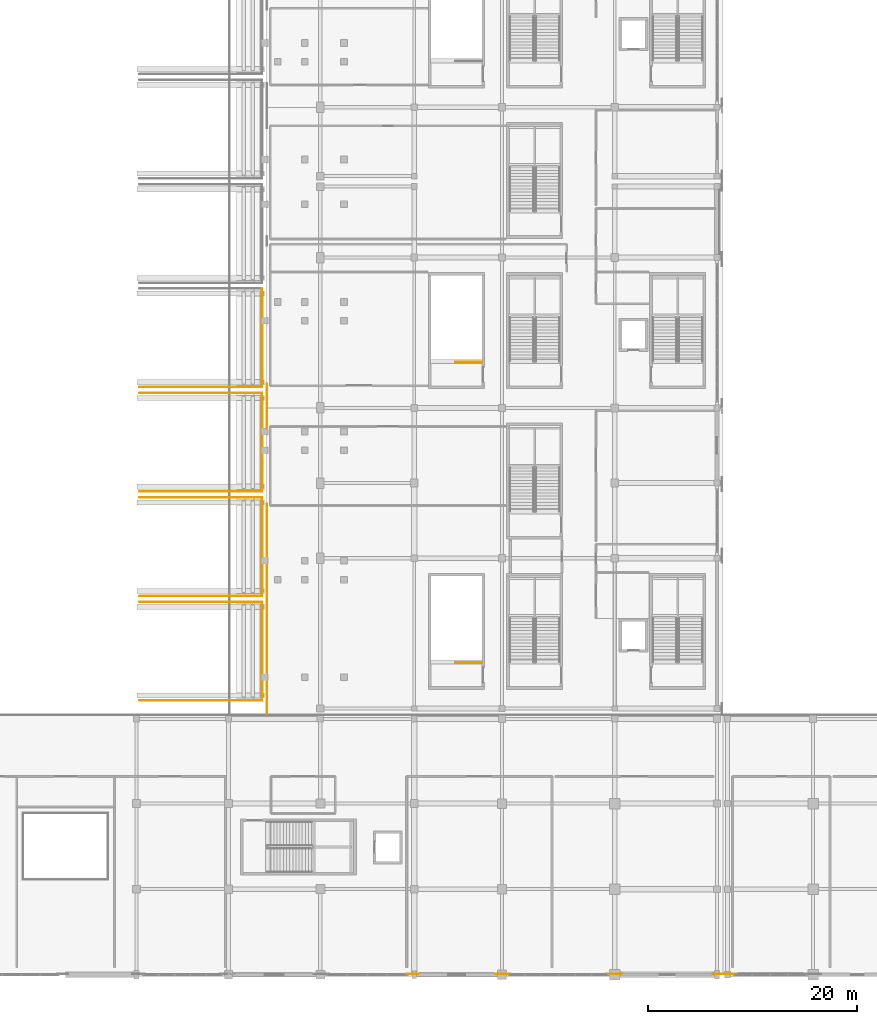
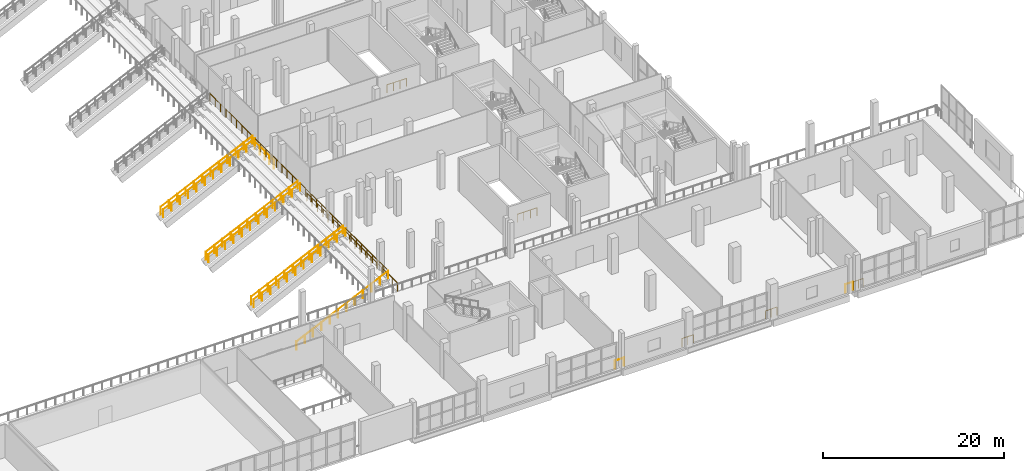
# One storey, part 113 of 129: 21 railings.
"""IFC4 building model written with IfcOpenShell, lengths in metres."""

import ifcopenshell
import ifcopenshell.guid

model = None  # the IFC model being written
_history = None  # IfcOwnerHistory: only IFC2X3 demands one
_inside = {}  # id of a spatial element -> (the spatial element, [elements in it])
_under = {}  # id of a project, library or spatial element -> (it, [spatial elements below it])
_declared = {}  # id of a project -> (the project, [libraries it declares])
_typed = {}  # id of a type object -> (the type object, [elements of that type])
_made_of = {}  # id of a material, layer set ... -> (it, [elements and type objects made of it])


def new_model(schema):
    """Start an empty IFC model of exactly this schema.

    Asked for "IFC4X3", IfcOpenShell would pick the latest addendum, in which some entities
    have other attributes; the version numbers below select the first issue.
    IFC2X3 requires an IfcOwnerHistory on every rooted entity: one is made here for all.
    """
    global model, _history
    if schema == "IFC4X3":
        model = ifcopenshell.file(schema_version=(4, 3, 0, 0))
    else:
        model = ifcopenshell.file(schema=schema)
    _inside.clear()
    _under.clear()
    _declared.clear()
    _typed.clear()
    _made_of.clear()
    _history = None
    if model.schema == "IFC2X3":
        org = make("IfcOrganization", Name="unknown")
        user = make(
            "IfcPersonAndOrganization",
            ThePerson=make("IfcPerson", FamilyName="unknown"),
            TheOrganization=org,
        )
        app = make(
            "IfcApplication",
            ApplicationDeveloper=org,
            Version="unknown",
            ApplicationFullName="unknown",
            ApplicationIdentifier="unknown",
        )
        _history = make(
            "IfcOwnerHistory",
            OwningUser=user,
            OwningApplication=app,
            ChangeAction="ADDED",
            CreationDate=0,
        )
    return model


def make(cls, **values):
    """One entity of the class cls with the attributes given. An attribute that is None is left unset."""
    return model.create_entity(
        cls, **{name: value for name, value in values.items() if value is not None}
    )


def rooted(cls, **values):
    """An entity with a GlobalId (a new one), such as an element, a storey or a relation."""
    return make(cls, GlobalId=ifcopenshell.guid.new(), OwnerHistory=_history, **values)


def si_unit(unit_type, name, prefix=None):
    """IfcSIUnit, for example si_unit("LENGTHUNIT", "METRE", prefix="MILLI")."""
    return make("IfcSIUnit", UnitType=unit_type, Prefix=prefix, Name=name)


def assignment(units):
    """IfcUnitAssignment: the units of a project."""
    return None if units is None else make("IfcUnitAssignment", Units=units)


def point(xyz):
    """IfcCartesianPoint."""
    return None if xyz is None else make("IfcCartesianPoint", Coordinates=xyz)


def direction(xyz):
    """IfcDirection."""
    return None if xyz is None else make("IfcDirection", DirectionRatios=xyz)


def frame(location, z_axis=None, x_axis=None):
    """IfcAxis2Placement3D, a coordinate frame: its origin and axes. An axis left out is left unset."""
    return make(
        "IfcAxis2Placement3D",
        Location=point(location),
        Axis=direction(z_axis),
        RefDirection=direction(x_axis),
    )


def frame_2d(location, x_axis=None):
    """IfcAxis2Placement2D, a coordinate frame in the plane: its origin and x axis."""
    return make(
        "IfcAxis2Placement2D", Location=point(location), RefDirection=direction(x_axis)
    )


def origin():
    """The frame at (0, 0, 0) with its axes left unset."""
    return frame((0.0, 0.0, 0.0))


def origin_2d():
    """The frame at (0, 0) in the plane with its x axis left unset."""
    return frame_2d((0.0, 0.0))


def place(relative_to, where):
    """IfcLocalPlacement: puts the frame where relative to a parent placement (None: the world)."""
    return make(
        "IfcLocalPlacement", PlacementRelTo=relative_to, RelativePlacement=where
    )


def context(
    kind, dimensions, precision=None, world=None, true_north=None, identifier=None
):
    """IfcGeometricRepresentationContext, for example the 3D "Model" context."""
    return make(
        "IfcGeometricRepresentationContext",
        ContextIdentifier=identifier,
        ContextType=kind,
        CoordinateSpaceDimension=dimensions,
        Precision=precision,
        WorldCoordinateSystem=world,
        TrueNorth=true_north,
    )


def subcontext(parent, identifier, kind, view, scale=None):
    """IfcGeometricRepresentationSubContext, for example "Body" below "Model"."""
    return make(
        "IfcGeometricRepresentationSubContext",
        ContextIdentifier=identifier,
        ContextType=kind,
        ParentContext=parent,
        TargetScale=scale,
        TargetView=view,
    )


def project(units=None, contexts=None):
    """IfcProject with its units and contexts."""
    return rooted(
        "IfcProject",
        Name="project",
        RepresentationContexts=contexts,
        UnitsInContext=assignment(units),
    )


def spatial(cls, under=None, at=None, **own):
    """A site, building, storey or space (cls), placed at a placement, below another one or the project."""
    s = rooted(cls, ObjectPlacement=at, **own)
    if under is not None:
        _under.setdefault(under.id(), (under, []))[1].append(s)
    return s


def profile(cls, at=None, kind="AREA", **sizes):
    """A parametric profile (cls). Its sizes go by their IFC names, for example OverallWidth=200.0."""
    return make(cls, ProfileType=kind, Position=at, **sizes)


def circle(**sizes):
    """IfcCircleProfileDef."""
    return profile("IfcCircleProfileDef", **sizes)


def extrude(swept, where, along, depth):
    """IfcExtrudedAreaSolid: the profile swept, set in the frame where, extruded along a direction by depth."""
    return make(
        "IfcExtrudedAreaSolid",
        SweptArea=swept,
        Position=where,
        ExtrudedDirection=direction(along),
        Depth=depth,
    )


def shape(context_of_items, identifier, shape_type, items):
    """IfcShapeRepresentation: the items that make up one representation, for example the "Body"."""
    return make(
        "IfcShapeRepresentation",
        ContextOfItems=context_of_items,
        RepresentationIdentifier=identifier,
        RepresentationType=shape_type,
        Items=items,
    )


def material(Name=None, Category=None):
    """IfcMaterial."""
    return make("IfcMaterial", Name=Name, Category=Category)


def made_of(thing, what):
    """Note that an element or type object is made of a material, layer set ...; save() writes the relation."""
    if what is not None:
        _made_of.setdefault(what.id(), (what, []))[1].append(thing)
    return thing


def type_object(cls, material=None, **own):
    """A type object (cls), such as IfcWallType, which elements share."""
    return made_of(rooted(cls, **own), material)


def element(
    cls,
    number,
    at=None,
    inside=None,
    cuts=None,
    type_object=None,
    material=None,
    context=None,
    identifier="Body",
    shape_type=None,
    held_by="IfcProductDefinitionShape",
    body=None,
    shapes=None,
    **own,
):
    """One element of the class cls, such as IfcWall. Its Tag is "e" and its number.

    at: its placement. inside: the storey or other place that contains it. cuts: it is an
    opening in that element (IfcRelVoidsElement). A single representation is given by context,
    identifier, shape_type and body (its items); several are given by shapes. held_by: the class
    of the entity that holds the representations. save() writes the other relations.
    """
    e = rooted(cls, Tag="e%d" % number, ObjectPlacement=at, **own)
    if body is not None:
        shapes = [shape(context, identifier, shape_type, body)]
    if shapes is not None:
        e.Representation = make(held_by, Representations=shapes)
    if inside is not None:
        _inside.setdefault(inside.id(), (inside, []))[1].append(e)
    if cuts is not None:
        rooted(
            "IfcRelVoidsElement", RelatingBuildingElement=cuts, RelatedOpeningElement=e
        )
    if type_object is not None:
        _typed.setdefault(type_object.id(), (type_object, []))[1].append(e)
    return made_of(e, material)


def aggregate(whole, parts):
    """IfcRelAggregates: a whole, such as a stair, and the parts it consists of."""
    return rooted("IfcRelAggregates", RelatingObject=whole, RelatedObjects=parts)


def save(model, path):
    """Write the relations noted so far, then the file.

    IfcRelAggregates (storeys below a building ...), IfcRelContainedInSpatialStructure (elements
    in a storey), IfcRelDefinesByType, IfcRelAssociatesMaterial and IfcRelDeclares: one each for
    every whole, place, type object, material and project.
    """
    for whole, parts in _under.values():
        aggregate(whole, parts)
    for where, things in _inside.values():
        rooted(
            "IfcRelContainedInSpatialStructure",
            RelatedElements=things,
            RelatingStructure=where,
        )
    for kind, things in _typed.values():
        rooted("IfcRelDefinesByType", RelatedObjects=things, RelatingType=kind)
    for what, things in _made_of.values():
        rooted("IfcRelAssociatesMaterial", RelatedObjects=things, RelatingMaterial=what)
    for by, libraries in _declared.values():
        rooted("IfcRelDeclares", RelatingContext=by, RelatedDefinitions=libraries)
    model.write(path)


model = new_model("IFC4")

# Units and contexts
model_context = context("Model", 3, precision=1e-05, world=origin(), true_north=direction((0.0, 1.0)))
body_context = subcontext(model_context, "Body", "Model", "MODEL_VIEW")
ifc_project = project(units=[si_unit("LENGTHUNIT", "METRE"), si_unit("AREAUNIT", "SQUARE_METRE"), si_unit("VOLUMEUNIT", "CUBIC_METRE"), si_unit("PLANEANGLEUNIT", "RADIAN"), si_unit("MASSUNIT", "GRAM", prefix="KILO")], contexts=[model_context])

# Site, building, storey
site_placement = place(None, origin())
site = spatial("IfcSite", under=ifc_project, at=site_placement, CompositionType="ELEMENT")
building_placement = place(site_placement, origin())
building = spatial("IfcBuilding", under=site, at=building_placement, Name="Koshinbarg Plaza Stadium", CompositionType="ELEMENT")
storey_placement = place(building_placement, frame((0.0, 0.0, 5.39990234375)))
storey = spatial("IfcBuildingStorey", under=building, at=storey_placement, Name="L01", CompositionType="ELEMENT", Elevation=5.39990234375)

# Railings
ifc_material_1 = material(Name="Toughened laminated glass and stainless steel sightline balustrade", Category="steel")
railing_type_1 = type_object("IfcRailingType", Name="RL-BOWL-1100", PredefinedType="BALUSTRADE", material=ifc_material_1)
railing_1_placement = place(storey_placement, frame((175.280029296875, 25.044921875, 0.0)))
element("IfcRailing", 1, at=railing_1_placement, inside=storey, type_object=railing_type_1, Name="L01 deck edge safety balustrade 0011", PredefinedType="BALUSTRADE", context=body_context, shape_type="SweptSolid", body=[
    extrude(circle(Radius=0.02392578125, at=origin_2d()), frame((0.0, 0.0, 1.076171875), z_axis=(0.0, 1.0, 0.0), x_axis=(-1.0, 0.0, 0.0)), (0.0, 0.0, 1.0), 20.0517578125),
    extrude(circle(Radius=0.02099609375, at=origin_2d()), origin(), (0.0, 0.0, 1.0), 1.052001953125),
    extrude(circle(Radius=0.02099609375, at=origin_2d()), frame((0.0, 1.179443359375, 0.0)), (0.0, 0.0, 1.0), 1.052001953125),
    extrude(circle(Radius=0.02099609375, at=origin_2d()), frame((0.0, 2.359130859375, 0.0)), (0.0, 0.0, 1.0), 1.052001953125),
    extrude(circle(Radius=0.02099609375, at=origin_2d()), frame((0.0, 3.53857421875, 0.0)), (0.0, 0.0, 1.0), 1.052001953125),
    extrude(circle(Radius=0.02099609375, at=origin_2d()), frame((0.0, 4.718017578125, 0.0)), (0.0, 0.0, 1.0), 1.052001953125),
    extrude(circle(Radius=0.02099609375, at=origin_2d()), frame((0.0, 5.8974609375, 0.0)), (0.0, 0.0, 1.0), 1.052001953125),
    extrude(circle(Radius=0.02099609375, at=origin_2d()), frame((0.0, 7.0771484375, 0.0)), (0.0, 0.0, 1.0), 1.052001953125),
    extrude(circle(Radius=0.02099609375, at=origin_2d()), frame((0.0, 8.256591796875, 0.0)), (0.0, 0.0, 1.0), 1.052001953125),
    extrude(circle(Radius=0.02099609375, at=origin_2d()), frame((0.0, 9.43603515625, 0.0)), (0.0, 0.0, 1.0), 1.052001953125),
    extrude(circle(Radius=0.02099609375, at=origin_2d()), frame((0.0, 10.61572265625, 0.0)), (0.0, 0.0, 1.0), 1.052001953125),
    extrude(circle(Radius=0.02099609375, at=origin_2d()), frame((0.0, 11.795166015625, 0.0)), (0.0, 0.0, 1.0), 1.052001953125),
    extrude(circle(Radius=0.02099609375, at=origin_2d()), frame((0.0, 12.974609375, 0.0)), (0.0, 0.0, 1.0), 1.052001953125),
    extrude(circle(Radius=0.02099609375, at=origin_2d()), frame((0.0, 14.154296875, 0.0)), (0.0, 0.0, 1.0), 1.052001953125),
    extrude(circle(Radius=0.02099609375, at=origin_2d()), frame((0.0, 15.333740234375, 0.0)), (0.0, 0.0, 1.0), 1.052001953125),
    extrude(circle(Radius=0.02099609375, at=origin_2d()), frame((0.0, 16.51318359375, 0.0)), (0.0, 0.0, 1.0), 1.052001953125),
    extrude(circle(Radius=0.02099609375, at=origin_2d()), frame((0.0, 17.692626953125, 0.0)), (0.0, 0.0, 1.0), 1.052001953125),
    extrude(circle(Radius=0.02099609375, at=origin_2d()), frame((0.0, 18.872314453125, 0.0)), (0.0, 0.0, 1.0), 1.052001953125),
    extrude(circle(Radius=0.02099609375, at=origin_2d()), frame((0.0, 20.0517578125, 0.0)), (0.0, 0.0, 1.0), 1.052001953125),
])
railing_2_placement = place(storey_placement, frame((175.280029296875, 52.308837890625, 0.0)))
element("IfcRailing", 2, at=railing_2_placement, inside=storey, type_object=railing_type_1, Name="L01 deck edge safety balustrade 0012", PredefinedType="BALUSTRADE", context=body_context, shape_type="SweptSolid", body=[
    extrude(circle(Radius=0.02392578125, at=origin_2d()), frame((0.0, 0.0, 1.076171875), z_axis=(0.0, 1.0, 0.0), x_axis=(-1.0, 0.0, 0.0)), (0.0, 0.0, 1.0), 1.9912109375),
    extrude(circle(Radius=0.02099609375, at=origin_2d()), origin(), (0.0, 0.0, 1.0), 1.052001953125),
    extrude(circle(Radius=0.02099609375, at=origin_2d()), frame((0.0, 0.99560546875, 0.0)), (0.0, 0.0, 1.0), 1.052001953125),
    extrude(circle(Radius=0.02099609375, at=origin_2d()), frame((0.0, 1.9912109375, 0.0)), (0.0, 0.0, 1.0), 1.052001953125),
])
railing_3_placement = place(storey_placement, frame((175.280029296875, 54.300048828125, 0.0)))
element("IfcRailing", 3, at=railing_3_placement, inside=storey, type_object=railing_type_1, Name="L01 deck edge safety balustrade 0017", PredefinedType="BALUSTRADE", context=body_context, shape_type="SweptSolid", body=[
    extrude(circle(Radius=0.02392578125, at=origin_2d()), frame((0.0, 0.0, 1.076171875), z_axis=(0.0, 1.0, 0.0), x_axis=(-1.0, 0.0, 0.0)), (0.0, 0.0, 1.0), 2.300048828125),
    extrude(circle(Radius=0.02099609375, at=origin_2d()), origin(), (0.0, 0.0, 1.0), 1.052001953125),
    extrude(circle(Radius=0.02099609375, at=origin_2d()), frame((0.0, 1.14990234375, 0.0)), (0.0, 0.0, 1.0), 1.052001953125),
    extrude(circle(Radius=0.02099609375, at=origin_2d()), frame((0.0, 2.300048828125, 0.0)), (0.0, 0.0, 1.0), 1.052001953125),
])
railing_4_placement = place(storey_placement, frame((218.955078125, 0.080078125, 0.0)))
element("IfcRailing", 4, at=railing_4_placement, inside=storey, type_object=railing_type_1, Name="L01 deck edge safety balustrade 0075", PredefinedType="BALUSTRADE", context=body_context, shape_type="SweptSolid", body=[
    extrude(circle(Radius=0.02392578125, at=origin_2d()), frame((0.0, 0.0, 1.076171875), z_axis=(-1.0, 0.0, 0.0), x_axis=(0.0, -1.0, 0.0)), (0.0, 0.0, 1.0), 0.949462890625),
    extrude(circle(Radius=0.02099609375, at=origin_2d()), origin(), (0.0, 0.0, 1.0), 1.052001953125),
    extrude(circle(Radius=0.02099609375, at=origin_2d()), frame((-0.949462890625, 0.0, 0.0)), (0.0, 0.0, 1.0), 1.052001953125),
])
for number, where, name in (
    (5, (209.264404296875, 0.080078125, 0.0), "L01 deck edge safety balustrade 0076"),
    (6, (198.62451171875, 0.080078125, 0.0), "L01 deck edge safety balustrade 0077"),
):
    element("IfcRailing", number, at=place(storey_placement, frame(where)), inside=storey, type_object=railing_type_1, Name=name, PredefinedType="BALUSTRADE", context=body_context, shape_type="SweptSolid", body=[
        extrude(circle(Radius=0.02392578125, at=origin_2d()), frame((0.0, 0.0, 1.076171875), z_axis=(-1.0, 0.0, 0.0), x_axis=(0.0, -1.0, 0.0)), (0.0, 0.0, 1.0), 1.448974609375),
        extrude(circle(Radius=0.02099609375, at=origin_2d()), origin(), (0.0, 0.0, 1.0), 1.052001953125),
        extrude(circle(Radius=0.02099609375, at=origin_2d()), frame((-0.724609375, 0.0, 0.0)), (0.0, 0.0, 1.0), 1.052001953125),
        extrude(circle(Radius=0.02099609375, at=origin_2d()), frame((-1.448974609375, 0.0, 0.0)), (0.0, 0.0, 1.0), 1.052001953125),
    ])
railing_5_placement = place(storey_placement, frame((189.782958984375, 0.080078125, 0.0)))
element("IfcRailing", 7, at=railing_5_placement, inside=storey, type_object=railing_type_1, Name="L01 deck edge safety balustrade 0078", PredefinedType="BALUSTRADE", context=body_context, shape_type="SweptSolid", body=[
    extrude(circle(Radius=0.02392578125, at=origin_2d()), frame((0.0, 0.0, 1.076171875), z_axis=(-1.0, 0.0, 0.0), x_axis=(0.0, -1.0, 0.0)), (0.0, 0.0, 1.0), 1.1494140625),
    extrude(circle(Radius=0.02099609375, at=origin_2d()), origin(), (0.0, 0.0, 1.0), 1.052001953125),
    extrude(circle(Radius=0.02099609375, at=origin_2d()), frame((-1.1494140625, 0.0, 0.0)), (0.0, 0.0, 1.0), 1.052001953125),
])
railing_6_placement = place(storey_placement, frame((220.290283203125, 0.080078125, 0.0)))
element("IfcRailing", 8, at=railing_6_placement, inside=storey, type_object=railing_type_1, Name="L01 deck edge safety balustrade 0088", PredefinedType="BALUSTRADE", context=body_context, shape_type="SweptSolid", body=[
    extrude(circle(Radius=0.02392578125, at=origin_2d()), frame((0.0, 0.0, 1.076171875), z_axis=(-1.0, 0.0, 0.0), x_axis=(0.0, -1.0, 0.0)), (0.0, 0.0, 1.0), 1.245361328125),
    extrude(circle(Radius=0.02099609375, at=origin_2d()), origin(), (0.0, 0.0, 1.0), 1.052001953125),
    extrude(circle(Radius=0.02099609375, at=origin_2d()), frame((-0.62255859375, 0.0, 0.0)), (0.0, 0.0, 1.0), 1.052001953125),
    extrude(circle(Radius=0.02099609375, at=origin_2d()), frame((-1.245361328125, 0.0, 0.0)), (0.0, 0.0, 1.0), 1.052001953125),
])
ifc_material_2 = material(Name="Galvanized painted steel guardrail", Category="steel")
railing_type_2 = type_object("IfcRailingType", Name="RL-GUARD-1100", PredefinedType="GUARDRAIL", material=ifc_material_2)
railing_7_placement = place(storey_placement, frame((174.820068359375, 26.280029296875, 1.080078125)))
element("IfcRailing", 9, at=railing_7_placement, inside=storey, type_object=railing_type_2, Name="LT-E01 rear stand guard", PredefinedType="GUARDRAIL", context=body_context, shape_type="SweptSolid", body=[
    extrude(circle(Radius=0.02392578125, at=origin_2d()), frame((0.0, 0.0, 1.076171875), z_axis=(0.0, 1.0, 0.0), x_axis=(-1.0, 0.0, 0.0)), (0.0, 0.0, 1.0), 9.43994140625),
    extrude(circle(Radius=0.02099609375, at=origin_2d()), origin(), (0.0, 0.0, 1.0), 1.052001953125),
    extrude(circle(Radius=0.02099609375, at=origin_2d()), frame((0.0, 1.179931640625, 0.0)), (0.0, 0.0, 1.0), 1.052001953125),
    extrude(circle(Radius=0.02099609375, at=origin_2d()), frame((0.0, 2.35986328125, 0.0)), (0.0, 0.0, 1.0), 1.052001953125),
    extrude(circle(Radius=0.02099609375, at=origin_2d()), frame((0.0, 3.5400390625, 0.0)), (0.0, 0.0, 1.0), 1.052001953125),
    extrude(circle(Radius=0.02099609375, at=origin_2d()), frame((0.0, 4.719970703125, 0.0)), (0.0, 0.0, 1.0), 1.052001953125),
    extrude(circle(Radius=0.02099609375, at=origin_2d()), frame((0.0, 5.89990234375, 0.0)), (0.0, 0.0, 1.0), 1.052001953125),
    extrude(circle(Radius=0.02099609375, at=origin_2d()), frame((0.0, 7.080078125, 0.0)), (0.0, 0.0, 1.0), 1.052001953125),
    extrude(circle(Radius=0.02099609375, at=origin_2d()), frame((0.0, 8.260009765625, 0.0)), (0.0, 0.0, 1.0), 1.052001953125),
    extrude(circle(Radius=0.02099609375, at=origin_2d()), frame((0.0, 9.43994140625, 0.0)), (0.0, 0.0, 1.0), 1.052001953125),
])
railing_8_placement = place(storey_placement, frame((163.10009765625, 26.280029296875, -4.3798828125)))
element("IfcRailing", 10, at=railing_8_placement, inside=storey, type_object=railing_type_2, Name="LT-E01 stepped aisle guard L", PredefinedType="GUARDRAIL", context=body_context, shape_type="SweptSolid", body=[
    extrude(circle(Radius=0.02392578125, at=origin_2d()), frame((0.0, 0.0, 1.076171875), z_axis=(0.906183623075, 0.0, 0.422884430158), x_axis=(0.0, 1.0, 0.0)), (0.0, 0.0, 1.0), 12.9111328125),
    extrude(circle(Radius=0.02099609375, at=origin_2d()), origin(), (0.0, 0.0, 1.0), 1.052001953125),
    extrude(circle(Radius=0.02099609375, at=origin_2d()), frame((1.063720703125, 0.0, 0.496337890625)), (0.0, 0.0, 1.0), 1.052001953125),
    extrude(circle(Radius=0.02099609375, at=origin_2d()), frame((2.127197265625, 0.0, 0.99267578125)), (0.0, 0.0, 1.0), 1.052001953125),
    extrude(circle(Radius=0.02099609375, at=origin_2d()), frame((3.19091796875, 0.0, 1.489013671875)), (0.0, 0.0, 1.0), 1.052001953125),
    extrude(circle(Radius=0.02099609375, at=origin_2d()), frame((4.254638671875, 0.0, 1.9853515625)), (0.0, 0.0, 1.0), 1.052001953125),
    extrude(circle(Radius=0.02099609375, at=origin_2d()), frame((5.318115234375, 0.0, 2.481689453125)), (0.0, 0.0, 1.0), 1.052001953125),
    extrude(circle(Radius=0.02099609375, at=origin_2d()), frame((6.3818359375, 0.0, 2.978271484375)), (0.0, 0.0, 1.0), 1.052001953125),
    extrude(circle(Radius=0.02099609375, at=origin_2d()), frame((7.4453125, 0.0, 3.474609375)), (0.0, 0.0, 1.0), 1.052001953125),
    extrude(circle(Radius=0.02099609375, at=origin_2d()), frame((8.509033203125, 0.0, 3.970947265625)), (0.0, 0.0, 1.0), 1.052001953125),
    extrude(circle(Radius=0.02099609375, at=origin_2d()), frame((9.57275390625, 0.0, 4.46728515625)), (0.0, 0.0, 1.0), 1.052001953125),
    extrude(circle(Radius=0.02099609375, at=origin_2d()), frame((10.63623046875, 0.0, 4.963623046875)), (0.0, 0.0, 1.0), 1.052001953125),
    extrude(circle(Radius=0.02099609375, at=origin_2d()), frame((11.699951171875, 0.0, 5.4599609375)), (0.0, 0.0, 1.0), 1.052001953125),
])
railing_9_placement = place(storey_placement, frame((163.10009765625, 35.719970703125, -4.3798828125)))
element("IfcRailing", 11, at=railing_9_placement, inside=storey, type_object=railing_type_2, Name="LT-E01 stepped aisle guard R", PredefinedType="GUARDRAIL", context=body_context, shape_type="SweptSolid", body=[
    extrude(circle(Radius=0.02392578125, at=origin_2d()), frame((0.0, 0.0, 1.076171875), z_axis=(0.906183623075, 0.0, 0.422884430158), x_axis=(0.0, 1.0, 0.0)), (0.0, 0.0, 1.0), 12.9111328125),
    extrude(circle(Radius=0.02099609375, at=origin_2d()), origin(), (0.0, 0.0, 1.0), 1.052001953125),
    extrude(circle(Radius=0.02099609375, at=origin_2d()), frame((1.063720703125, 0.0, 0.496337890625)), (0.0, 0.0, 1.0), 1.052001953125),
    extrude(circle(Radius=0.02099609375, at=origin_2d()), frame((2.127197265625, 0.0, 0.99267578125)), (0.0, 0.0, 1.0), 1.052001953125),
    extrude(circle(Radius=0.02099609375, at=origin_2d()), frame((3.19091796875, 0.0, 1.489013671875)), (0.0, 0.0, 1.0), 1.052001953125),
    extrude(circle(Radius=0.02099609375, at=origin_2d()), frame((4.254638671875, 0.0, 1.9853515625)), (0.0, 0.0, 1.0), 1.052001953125),
    extrude(circle(Radius=0.02099609375, at=origin_2d()), frame((5.318115234375, 0.0, 2.481689453125)), (0.0, 0.0, 1.0), 1.052001953125),
    extrude(circle(Radius=0.02099609375, at=origin_2d()), frame((6.3818359375, 0.0, 2.978271484375)), (0.0, 0.0, 1.0), 1.052001953125),
    extrude(circle(Radius=0.02099609375, at=origin_2d()), frame((7.4453125, 0.0, 3.474609375)), (0.0, 0.0, 1.0), 1.052001953125),
    extrude(circle(Radius=0.02099609375, at=origin_2d()), frame((8.509033203125, 0.0, 3.970947265625)), (0.0, 0.0, 1.0), 1.052001953125),
    extrude(circle(Radius=0.02099609375, at=origin_2d()), frame((9.57275390625, 0.0, 4.46728515625)), (0.0, 0.0, 1.0), 1.052001953125),
    extrude(circle(Radius=0.02099609375, at=origin_2d()), frame((10.63623046875, 0.0, 4.963623046875)), (0.0, 0.0, 1.0), 1.052001953125),
    extrude(circle(Radius=0.02099609375, at=origin_2d()), frame((11.699951171875, 0.0, 5.4599609375)), (0.0, 0.0, 1.0), 1.052001953125),
])
railing_10_placement = place(storey_placement, frame((174.820068359375, 36.280029296875, 1.080078125)))
element("IfcRailing", 12, at=railing_10_placement, inside=storey, type_object=railing_type_2, Name="LT-E02 rear stand guard", PredefinedType="GUARDRAIL", context=body_context, shape_type="SweptSolid", body=[
    extrude(circle(Radius=0.02392578125, at=origin_2d()), frame((0.0, 0.0, 1.076171875), z_axis=(0.0, 1.0, 0.0), x_axis=(-1.0, 0.0, 0.0)), (0.0, 0.0, 1.0), 9.43994140625),
    extrude(circle(Radius=0.02099609375, at=origin_2d()), origin(), (0.0, 0.0, 1.0), 1.052001953125),
    extrude(circle(Radius=0.02099609375, at=origin_2d()), frame((0.0, 1.179931640625, 0.0)), (0.0, 0.0, 1.0), 1.052001953125),
    extrude(circle(Radius=0.02099609375, at=origin_2d()), frame((0.0, 2.35986328125, 0.0)), (0.0, 0.0, 1.0), 1.052001953125),
    extrude(circle(Radius=0.02099609375, at=origin_2d()), frame((0.0, 3.5400390625, 0.0)), (0.0, 0.0, 1.0), 1.052001953125),
    extrude(circle(Radius=0.02099609375, at=origin_2d()), frame((0.0, 4.719970703125, 0.0)), (0.0, 0.0, 1.0), 1.052001953125),
    extrude(circle(Radius=0.02099609375, at=origin_2d()), frame((0.0, 5.89990234375, 0.0)), (0.0, 0.0, 1.0), 1.052001953125),
    extrude(circle(Radius=0.02099609375, at=origin_2d()), frame((0.0, 7.080078125, 0.0)), (0.0, 0.0, 1.0), 1.052001953125),
    extrude(circle(Radius=0.02099609375, at=origin_2d()), frame((0.0, 8.260009765625, 0.0)), (0.0, 0.0, 1.0), 1.052001953125),
    extrude(circle(Radius=0.02099609375, at=origin_2d()), frame((0.0, 9.43994140625, 0.0)), (0.0, 0.0, 1.0), 1.052001953125),
])
railing_11_placement = place(storey_placement, frame((163.10009765625, 36.280029296875, -4.3798828125)))
element("IfcRailing", 13, at=railing_11_placement, inside=storey, type_object=railing_type_2, Name="LT-E02 stepped aisle guard L", PredefinedType="GUARDRAIL", context=body_context, shape_type="SweptSolid", body=[
    extrude(circle(Radius=0.02392578125, at=origin_2d()), frame((0.0, 0.0, 1.076171875), z_axis=(0.906183623075, 0.0, 0.422884430158), x_axis=(0.0, 1.0, 0.0)), (0.0, 0.0, 1.0), 12.9111328125),
    extrude(circle(Radius=0.02099609375, at=origin_2d()), origin(), (0.0, 0.0, 1.0), 1.052001953125),
    extrude(circle(Radius=0.02099609375, at=origin_2d()), frame((1.063720703125, 0.0, 0.496337890625)), (0.0, 0.0, 1.0), 1.052001953125),
    extrude(circle(Radius=0.02099609375, at=origin_2d()), frame((2.127197265625, 0.0, 0.99267578125)), (0.0, 0.0, 1.0), 1.052001953125),
    extrude(circle(Radius=0.02099609375, at=origin_2d()), frame((3.19091796875, 0.0, 1.489013671875)), (0.0, 0.0, 1.0), 1.052001953125),
    extrude(circle(Radius=0.02099609375, at=origin_2d()), frame((4.254638671875, 0.0, 1.9853515625)), (0.0, 0.0, 1.0), 1.052001953125),
    extrude(circle(Radius=0.02099609375, at=origin_2d()), frame((5.318115234375, 0.0, 2.481689453125)), (0.0, 0.0, 1.0), 1.052001953125),
    extrude(circle(Radius=0.02099609375, at=origin_2d()), frame((6.3818359375, 0.0, 2.978271484375)), (0.0, 0.0, 1.0), 1.052001953125),
    extrude(circle(Radius=0.02099609375, at=origin_2d()), frame((7.4453125, 0.0, 3.474609375)), (0.0, 0.0, 1.0), 1.052001953125),
    extrude(circle(Radius=0.02099609375, at=origin_2d()), frame((8.509033203125, 0.0, 3.970947265625)), (0.0, 0.0, 1.0), 1.052001953125),
    extrude(circle(Radius=0.02099609375, at=origin_2d()), frame((9.57275390625, 0.0, 4.46728515625)), (0.0, 0.0, 1.0), 1.052001953125),
    extrude(circle(Radius=0.02099609375, at=origin_2d()), frame((10.63623046875, 0.0, 4.963623046875)), (0.0, 0.0, 1.0), 1.052001953125),
    extrude(circle(Radius=0.02099609375, at=origin_2d()), frame((11.699951171875, 0.0, 5.4599609375)), (0.0, 0.0, 1.0), 1.052001953125),
])
railing_12_placement = place(storey_placement, frame((163.10009765625, 45.719970703125, -4.3798828125)))
element("IfcRailing", 14, at=railing_12_placement, inside=storey, type_object=railing_type_2, Name="LT-E02 stepped aisle guard R", PredefinedType="GUARDRAIL", context=body_context, shape_type="SweptSolid", body=[
    extrude(circle(Radius=0.02392578125, at=origin_2d()), frame((0.0, 0.0, 1.076171875), z_axis=(0.906183623075, 0.0, 0.422884430158), x_axis=(0.0, 1.0, 0.0)), (0.0, 0.0, 1.0), 12.9111328125),
    extrude(circle(Radius=0.02099609375, at=origin_2d()), origin(), (0.0, 0.0, 1.0), 1.052001953125),
    extrude(circle(Radius=0.02099609375, at=origin_2d()), frame((1.063720703125, 0.0, 0.496337890625)), (0.0, 0.0, 1.0), 1.052001953125),
    extrude(circle(Radius=0.02099609375, at=origin_2d()), frame((2.127197265625, 0.0, 0.99267578125)), (0.0, 0.0, 1.0), 1.052001953125),
    extrude(circle(Radius=0.02099609375, at=origin_2d()), frame((3.19091796875, 0.0, 1.489013671875)), (0.0, 0.0, 1.0), 1.052001953125),
    extrude(circle(Radius=0.02099609375, at=origin_2d()), frame((4.254638671875, 0.0, 1.9853515625)), (0.0, 0.0, 1.0), 1.052001953125),
    extrude(circle(Radius=0.02099609375, at=origin_2d()), frame((5.318115234375, 0.0, 2.481689453125)), (0.0, 0.0, 1.0), 1.052001953125),
    extrude(circle(Radius=0.02099609375, at=origin_2d()), frame((6.3818359375, 0.0, 2.978271484375)), (0.0, 0.0, 1.0), 1.052001953125),
    extrude(circle(Radius=0.02099609375, at=origin_2d()), frame((7.4453125, 0.0, 3.474609375)), (0.0, 0.0, 1.0), 1.052001953125),
    extrude(circle(Radius=0.02099609375, at=origin_2d()), frame((8.509033203125, 0.0, 3.970947265625)), (0.0, 0.0, 1.0), 1.052001953125),
    extrude(circle(Radius=0.02099609375, at=origin_2d()), frame((9.57275390625, 0.0, 4.46728515625)), (0.0, 0.0, 1.0), 1.052001953125),
    extrude(circle(Radius=0.02099609375, at=origin_2d()), frame((10.63623046875, 0.0, 4.963623046875)), (0.0, 0.0, 1.0), 1.052001953125),
    extrude(circle(Radius=0.02099609375, at=origin_2d()), frame((11.699951171875, 0.0, 5.4599609375)), (0.0, 0.0, 1.0), 1.052001953125),
])
railing_13_placement = place(storey_placement, frame((174.820068359375, 46.280029296875, 1.080078125)))
element("IfcRailing", 15, at=railing_13_placement, inside=storey, type_object=railing_type_2, Name="LT-E03 rear stand guard", PredefinedType="GUARDRAIL", context=body_context, shape_type="SweptSolid", body=[
    extrude(circle(Radius=0.02392578125, at=origin_2d()), frame((0.0, 0.0, 1.076171875), z_axis=(0.0, 1.0, 0.0), x_axis=(-1.0, 0.0, 0.0)), (0.0, 0.0, 1.0), 9.43994140625),
    extrude(circle(Radius=0.02099609375, at=origin_2d()), origin(), (0.0, 0.0, 1.0), 1.052001953125),
    extrude(circle(Radius=0.02099609375, at=origin_2d()), frame((0.0, 1.179931640625, 0.0)), (0.0, 0.0, 1.0), 1.052001953125),
    extrude(circle(Radius=0.02099609375, at=origin_2d()), frame((0.0, 2.35986328125, 0.0)), (0.0, 0.0, 1.0), 1.052001953125),
    extrude(circle(Radius=0.02099609375, at=origin_2d()), frame((0.0, 3.5400390625, 0.0)), (0.0, 0.0, 1.0), 1.052001953125),
    extrude(circle(Radius=0.02099609375, at=origin_2d()), frame((0.0, 4.719970703125, 0.0)), (0.0, 0.0, 1.0), 1.052001953125),
    extrude(circle(Radius=0.02099609375, at=origin_2d()), frame((0.0, 5.89990234375, 0.0)), (0.0, 0.0, 1.0), 1.052001953125),
    extrude(circle(Radius=0.02099609375, at=origin_2d()), frame((0.0, 7.080078125, 0.0)), (0.0, 0.0, 1.0), 1.052001953125),
    extrude(circle(Radius=0.02099609375, at=origin_2d()), frame((0.0, 8.260009765625, 0.0)), (0.0, 0.0, 1.0), 1.052001953125),
    extrude(circle(Radius=0.02099609375, at=origin_2d()), frame((0.0, 9.43994140625, 0.0)), (0.0, 0.0, 1.0), 1.052001953125),
])
railing_14_placement = place(storey_placement, frame((163.10009765625, 46.280029296875, -4.3798828125)))
element("IfcRailing", 16, at=railing_14_placement, inside=storey, type_object=railing_type_2, Name="LT-E03 stepped aisle guard L", PredefinedType="GUARDRAIL", context=body_context, shape_type="SweptSolid", body=[
    extrude(circle(Radius=0.02392578125, at=origin_2d()), frame((0.0, 0.0, 1.076171875), z_axis=(0.906183623075, 0.0, 0.422884430158), x_axis=(0.0, 1.0, 0.0)), (0.0, 0.0, 1.0), 12.9111328125),
    extrude(circle(Radius=0.02099609375, at=origin_2d()), origin(), (0.0, 0.0, 1.0), 1.052001953125),
    extrude(circle(Radius=0.02099609375, at=origin_2d()), frame((1.063720703125, 0.0, 0.496337890625)), (0.0, 0.0, 1.0), 1.052001953125),
    extrude(circle(Radius=0.02099609375, at=origin_2d()), frame((2.127197265625, 0.0, 0.99267578125)), (0.0, 0.0, 1.0), 1.052001953125),
    extrude(circle(Radius=0.02099609375, at=origin_2d()), frame((3.19091796875, 0.0, 1.489013671875)), (0.0, 0.0, 1.0), 1.052001953125),
    extrude(circle(Radius=0.02099609375, at=origin_2d()), frame((4.254638671875, 0.0, 1.9853515625)), (0.0, 0.0, 1.0), 1.052001953125),
    extrude(circle(Radius=0.02099609375, at=origin_2d()), frame((5.318115234375, 0.0, 2.481689453125)), (0.0, 0.0, 1.0), 1.052001953125),
    extrude(circle(Radius=0.02099609375, at=origin_2d()), frame((6.3818359375, 0.0, 2.978271484375)), (0.0, 0.0, 1.0), 1.052001953125),
    extrude(circle(Radius=0.02099609375, at=origin_2d()), frame((7.4453125, 0.0, 3.474609375)), (0.0, 0.0, 1.0), 1.052001953125),
    extrude(circle(Radius=0.02099609375, at=origin_2d()), frame((8.509033203125, 0.0, 3.970947265625)), (0.0, 0.0, 1.0), 1.052001953125),
    extrude(circle(Radius=0.02099609375, at=origin_2d()), frame((9.57275390625, 0.0, 4.46728515625)), (0.0, 0.0, 1.0), 1.052001953125),
    extrude(circle(Radius=0.02099609375, at=origin_2d()), frame((10.63623046875, 0.0, 4.963623046875)), (0.0, 0.0, 1.0), 1.052001953125),
    extrude(circle(Radius=0.02099609375, at=origin_2d()), frame((11.699951171875, 0.0, 5.4599609375)), (0.0, 0.0, 1.0), 1.052001953125),
])
railing_15_placement = place(storey_placement, frame((163.10009765625, 55.719970703125, -4.3798828125)))
element("IfcRailing", 17, at=railing_15_placement, inside=storey, type_object=railing_type_2, Name="LT-E03 stepped aisle guard R", PredefinedType="GUARDRAIL", context=body_context, shape_type="SweptSolid", body=[
    extrude(circle(Radius=0.02392578125, at=origin_2d()), frame((0.0, 0.0, 1.076171875), z_axis=(0.906183623075, 0.0, 0.422884430158), x_axis=(0.0, 1.0, 0.0)), (0.0, 0.0, 1.0), 12.9111328125),
    extrude(circle(Radius=0.02099609375, at=origin_2d()), origin(), (0.0, 0.0, 1.0), 1.052001953125),
    extrude(circle(Radius=0.02099609375, at=origin_2d()), frame((1.063720703125, 0.0, 0.496337890625)), (0.0, 0.0, 1.0), 1.052001953125),
    extrude(circle(Radius=0.02099609375, at=origin_2d()), frame((2.127197265625, 0.0, 0.99267578125)), (0.0, 0.0, 1.0), 1.052001953125),
    extrude(circle(Radius=0.02099609375, at=origin_2d()), frame((3.19091796875, 0.0, 1.489013671875)), (0.0, 0.0, 1.0), 1.052001953125),
    extrude(circle(Radius=0.02099609375, at=origin_2d()), frame((4.254638671875, 0.0, 1.9853515625)), (0.0, 0.0, 1.0), 1.052001953125),
    extrude(circle(Radius=0.02099609375, at=origin_2d()), frame((5.318115234375, 0.0, 2.481689453125)), (0.0, 0.0, 1.0), 1.052001953125),
    extrude(circle(Radius=0.02099609375, at=origin_2d()), frame((6.3818359375, 0.0, 2.978271484375)), (0.0, 0.0, 1.0), 1.052001953125),
    extrude(circle(Radius=0.02099609375, at=origin_2d()), frame((7.4453125, 0.0, 3.474609375)), (0.0, 0.0, 1.0), 1.052001953125),
    extrude(circle(Radius=0.02099609375, at=origin_2d()), frame((8.509033203125, 0.0, 3.970947265625)), (0.0, 0.0, 1.0), 1.052001953125),
    extrude(circle(Radius=0.02099609375, at=origin_2d()), frame((9.57275390625, 0.0, 4.46728515625)), (0.0, 0.0, 1.0), 1.052001953125),
    extrude(circle(Radius=0.02099609375, at=origin_2d()), frame((10.63623046875, 0.0, 4.963623046875)), (0.0, 0.0, 1.0), 1.052001953125),
    extrude(circle(Radius=0.02099609375, at=origin_2d()), frame((11.699951171875, 0.0, 5.4599609375)), (0.0, 0.0, 1.0), 1.052001953125),
])
railing_16_placement = place(storey_placement, frame((174.820068359375, 56.280029296875, 1.080078125)))
element("IfcRailing", 18, at=railing_16_placement, inside=storey, type_object=railing_type_2, Name="LT-E04 rear stand guard", PredefinedType="GUARDRAIL", context=body_context, shape_type="SweptSolid", body=[
    extrude(circle(Radius=0.02392578125, at=origin_2d()), frame((0.0, 0.0, 1.076171875), z_axis=(0.0, 1.0, 0.0), x_axis=(-1.0, 0.0, 0.0)), (0.0, 0.0, 1.0), 9.43994140625),
    extrude(circle(Radius=0.02099609375, at=origin_2d()), origin(), (0.0, 0.0, 1.0), 1.052001953125),
    extrude(circle(Radius=0.02099609375, at=origin_2d()), frame((0.0, 1.179931640625, 0.0)), (0.0, 0.0, 1.0), 1.052001953125),
    extrude(circle(Radius=0.02099609375, at=origin_2d()), frame((0.0, 2.35986328125, 0.0)), (0.0, 0.0, 1.0), 1.052001953125),
    extrude(circle(Radius=0.02099609375, at=origin_2d()), frame((0.0, 3.5400390625, 0.0)), (0.0, 0.0, 1.0), 1.052001953125),
    extrude(circle(Radius=0.02099609375, at=origin_2d()), frame((0.0, 4.719970703125, 0.0)), (0.0, 0.0, 1.0), 1.052001953125),
    extrude(circle(Radius=0.02099609375, at=origin_2d()), frame((0.0, 5.89990234375, 0.0)), (0.0, 0.0, 1.0), 1.052001953125),
    extrude(circle(Radius=0.02099609375, at=origin_2d()), frame((0.0, 7.080078125, 0.0)), (0.0, 0.0, 1.0), 1.052001953125),
    extrude(circle(Radius=0.02099609375, at=origin_2d()), frame((0.0, 8.260009765625, 0.0)), (0.0, 0.0, 1.0), 1.052001953125),
    extrude(circle(Radius=0.02099609375, at=origin_2d()), frame((0.0, 9.43994140625, 0.0)), (0.0, 0.0, 1.0), 1.052001953125),
])
railing_17_placement = place(storey_placement, frame((163.10009765625, 56.280029296875, -4.3798828125)))
element("IfcRailing", 19, at=railing_17_placement, inside=storey, type_object=railing_type_2, Name="LT-E04 stepped aisle guard L", PredefinedType="GUARDRAIL", context=body_context, shape_type="SweptSolid", body=[
    extrude(circle(Radius=0.02392578125, at=origin_2d()), frame((0.0, 0.0, 1.076171875), z_axis=(0.906183623075, 0.0, 0.422884430158), x_axis=(0.0, 1.0, 0.0)), (0.0, 0.0, 1.0), 12.9111328125),
    extrude(circle(Radius=0.02099609375, at=origin_2d()), origin(), (0.0, 0.0, 1.0), 1.052001953125),
    extrude(circle(Radius=0.02099609375, at=origin_2d()), frame((1.063720703125, 0.0, 0.496337890625)), (0.0, 0.0, 1.0), 1.052001953125),
    extrude(circle(Radius=0.02099609375, at=origin_2d()), frame((2.127197265625, 0.0, 0.99267578125)), (0.0, 0.0, 1.0), 1.052001953125),
    extrude(circle(Radius=0.02099609375, at=origin_2d()), frame((3.19091796875, 0.0, 1.489013671875)), (0.0, 0.0, 1.0), 1.052001953125),
    extrude(circle(Radius=0.02099609375, at=origin_2d()), frame((4.254638671875, 0.0, 1.9853515625)), (0.0, 0.0, 1.0), 1.052001953125),
    extrude(circle(Radius=0.02099609375, at=origin_2d()), frame((5.318115234375, 0.0, 2.481689453125)), (0.0, 0.0, 1.0), 1.052001953125),
    extrude(circle(Radius=0.02099609375, at=origin_2d()), frame((6.3818359375, 0.0, 2.978271484375)), (0.0, 0.0, 1.0), 1.052001953125),
    extrude(circle(Radius=0.02099609375, at=origin_2d()), frame((7.4453125, 0.0, 3.474609375)), (0.0, 0.0, 1.0), 1.052001953125),
    extrude(circle(Radius=0.02099609375, at=origin_2d()), frame((8.509033203125, 0.0, 3.970947265625)), (0.0, 0.0, 1.0), 1.052001953125),
    extrude(circle(Radius=0.02099609375, at=origin_2d()), frame((9.57275390625, 0.0, 4.46728515625)), (0.0, 0.0, 1.0), 1.052001953125),
    extrude(circle(Radius=0.02099609375, at=origin_2d()), frame((10.63623046875, 0.0, 4.963623046875)), (0.0, 0.0, 1.0), 1.052001953125),
    extrude(circle(Radius=0.02099609375, at=origin_2d()), frame((11.699951171875, 0.0, 5.4599609375)), (0.0, 0.0, 1.0), 1.052001953125),
])
for number, where, name in (
    (20, (195.8701171875, 29.909912109375, 0.0), "L01 VL05 top stairwell guard 1"),
    (21, (195.8701171875, 58.7099609375, 0.0), "L01 VL06 top stairwell guard 1"),
):
    element("IfcRailing", number, at=place(storey_placement, frame(where)), inside=storey, type_object=railing_type_2, Name=name, PredefinedType="GUARDRAIL", context=body_context, shape_type="SweptSolid", body=[
        extrude(circle(Radius=0.02392578125, at=origin_2d()), frame((0.0, 0.0, 1.076171875), z_axis=(-1.0, 0.0, 0.0), x_axis=(0.0, -1.0, 0.0)), (0.0, 0.0, 1.0), 2.510009765625),
        extrude(circle(Radius=0.02099609375, at=origin_2d()), origin(), (0.0, 0.0, 1.0), 1.052001953125),
        extrude(circle(Radius=0.02099609375, at=origin_2d()), frame((-0.836669921875, 0.0, 0.0)), (0.0, 0.0, 1.0), 1.052001953125),
        extrude(circle(Radius=0.02099609375, at=origin_2d()), frame((-1.67333984375, 0.0, 0.0)), (0.0, 0.0, 1.0), 1.052001953125),
        extrude(circle(Radius=0.02099609375, at=origin_2d()), frame((-2.510009765625, 0.0, 0.0)), (0.0, 0.0, 1.0), 1.052001953125),
    ])

save(model, "model.ifc")
